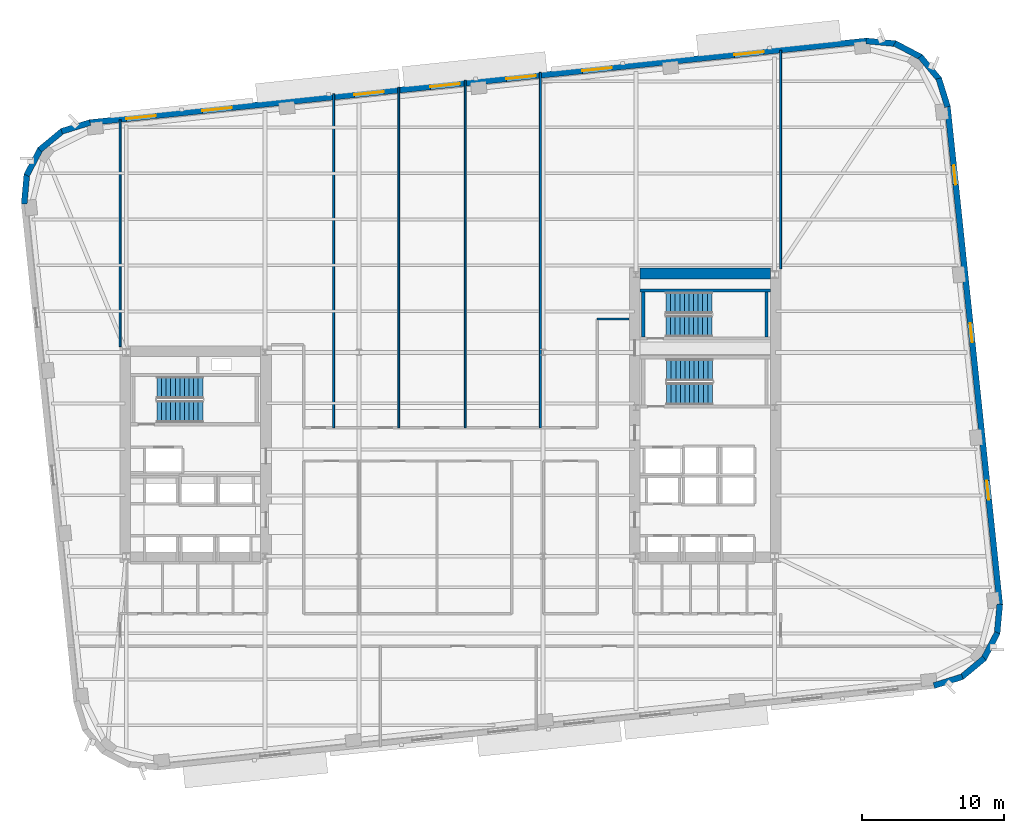
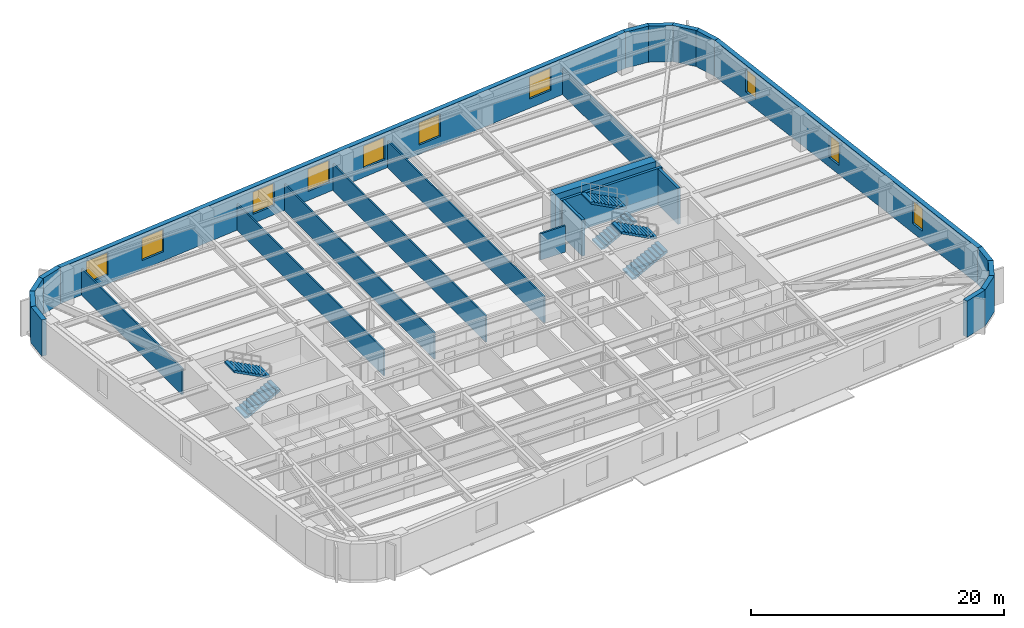
# One storey, part 7 of 15: 25 walls, 10 windows, 6 stair flights, 10 openings, 3 elements without a shape of their own.
"""IFC4 building model written with IfcOpenShell, lengths in metres."""

from ifc_helpers import new_model, si_unit, direction, frame, frame_2d, origin, place, context, subcontext, project, spatial, polyline, rectangle, outline, extrude, material, layer, layer_set, type_object, element, fill, aggregate, save


model = new_model("IFC4")

# Units and contexts
model_context = context("Model", 3, precision=1e-05, world=origin(), true_north=direction((0.0, 1.0)))
body_context = subcontext(model_context, "Body", "Model", "MODEL_VIEW")
ifc_project = project(units=[si_unit("LENGTHUNIT", "METRE"), si_unit("AREAUNIT", "SQUARE_METRE"), si_unit("VOLUMEUNIT", "CUBIC_METRE"), si_unit("PLANEANGLEUNIT", "RADIAN"), si_unit("MASSUNIT", "GRAM", prefix="KILO")], contexts=[model_context])

# Site, building, storey
site_placement = place(None, origin())
site = spatial("IfcSite", under=ifc_project, at=site_placement, CompositionType="ELEMENT")
building_placement = place(site_placement, origin())
building = spatial("IfcBuilding", under=site, at=building_placement, Name="Kolvaren Arena Tower", CompositionType="ELEMENT")
storey_placement = place(building_placement, frame((0.0, 0.0, 118.449951171875)))
storey = spatial("IfcBuildingStorey", under=building, at=storey_placement, Name="L27", CompositionType="ELEMENT", Elevation=118.449951171875)

# Walls
ifc_material_1 = material(Name="Gypsum board acoustic assembly", Category="gypsum")
ifc_layer_1 = layer(ifc_material_1, 0.159912109375)
ifc_layer_set_1 = layer_set([ifc_layer_1], Name="Gypsum board acoustic assembly")
wall_type_1 = type_object("IfcWallType", Name="CORR-160", PredefinedType="PARTITIONING", material=ifc_layer_set_1)
wall_1_placement = place(storey_placement, frame((47.820068359375, 36.199951171875, 0.0), z_axis=(0.0, 0.0, 1.0), x_axis=(1.0, 0.0, 0.0)))
element("IfcWall", 1, at=wall_1_placement, inside=storey, type_object=wall_type_1, Name="Interior Partition Wall (L27)", PredefinedType="PARTITIONING", context=body_context, shape_type="SweptSolid", body=[
    extrude(rectangle(XDim=2.260009765625, YDim=0.159912109375, at=frame_2d((1.1298828125, 0.0))), origin(), (0.0, 0.0, 1.0), 2.5400390625),
])
ifc_material_2 = material(Name="Concrete 70 MPa", Category="concrete")
ifc_layer_2 = layer(ifc_material_2, 0.75)
ifc_layer_set_2 = layer_set([ifc_layer_2], Name="Concrete 70 MPa")
wall_type_2 = type_object("IfcWallType", Name="CWALL-750", PredefinedType="SHEAR", material=ifc_layer_set_2)
wall_2_placement = place(storey_placement, frame((50.85009765625, 39.425048828125, -0.27001953125), z_axis=(0.0, 0.0, 1.0), x_axis=(1.0, 0.0, 0.0)))
element("IfcWall", 2, at=wall_2_placement, inside=storey, type_object=wall_type_2, Name="Core Shear Wall EC-NORTH (L27)", PredefinedType="SHEAR", context=body_context, shape_type="SweptSolid", body=[
    extrude(rectangle(XDim=9.199951171875, YDim=0.75, at=frame_2d((4.60009765625, 0.0))), origin(), (0.0, 0.0, 1.0), 3.75),
])
ifc_material_3 = material(Name="Precast concrete C50/60", Category="concrete")
ifc_layer_3 = layer(ifc_material_3, 0.419921875)
ifc_layer_set_3 = layer_set([ifc_layer_3], Name="Precast concrete C50/60")
wall_type_3 = type_object("IfcWallType", Name="EXT-PIER1", PredefinedType="SOLIDWALL", material=ifc_layer_set_3)
for number, where, z_axis, x_axis, name in (
    (3, (73.61328125, 10.93701171875, 0.0), (0.0, 0.0, 1.0), (-0.954993985335, -0.296625164093, 0.0), "Exterior Precast Masonry-Frame Wall (L27)"),
    (4, (75.1611328125, 12.2451171875, 0.0), (0.0, 0.0, 1.0), (-0.768800317178, -0.639488914921, 0.0), "Exterior Precast Masonry-Frame Wall (L27)"),
):
    element("IfcWall", number, at=place(storey_placement, frame(where, z_axis=z_axis, x_axis=x_axis)), inside=storey, type_object=wall_type_3, Name=name, PredefinedType="SOLIDWALL", context=body_context, shape_type="SweptSolid", body=[
        extrude(rectangle(XDim=2.10693359375, YDim=0.419921875, at=frame_2d((1.053466796875, 0.0))), origin(), (0.0, 0.0, 1.0), 3.47998046875),
    ])
wall_3_placement = place(storey_placement, frame((76.0908203125, 14.046142578125, 0.0), z_axis=(0.0, 0.0, 1.0), x_axis=(-0.465655699908, -0.884965970613, 0.0)))
element("IfcWall", 5, at=wall_3_placement, inside=storey, type_object=wall_type_3, Name="Exterior Precast Masonry-Frame Wall (L27)", PredefinedType="SOLIDWALL", context=body_context, shape_type="SweptSolid", body=[
    extrude(rectangle(XDim=2.107177734375, YDim=0.419921875, at=frame_2d((1.0537109375, 0.0))), origin(), (0.0, 0.0, 1.0), 3.47998046875),
])
wall_4_placement = place(storey_placement, frame((76.26025390625, 16.065673828125, 0.0), z_axis=(0.0, 0.0, 1.0), x_axis=(-0.091538655308, -0.995801523691, 0.0)))
element("IfcWall", 6, at=wall_4_placement, inside=storey, type_object=wall_type_3, Name="Exterior Precast Masonry-Frame Wall (L27)", PredefinedType="SOLIDWALL", context=body_context, shape_type="SweptSolid", body=[
    extrude(rectangle(XDim=2.10693359375, YDim=0.419921875, at=frame_2d((1.053466796875, 0.0))), origin(), (0.0, 0.0, 1.0), 3.47998046875),
])

# Wall, openings, windows
wall_5_placement = place(storey_placement, frame((72.560302734375, 51.23046875, 0.0), z_axis=(0.0, 0.0, 1.0), x_axis=(0.1045253859, -0.994522218808, 0.0)))
wall_5 = element("IfcWall", 7, at=wall_5_placement, inside=storey, type_object=wall_type_3, Name="Exterior Precast Masonry-Frame Wall (L27)", PredefinedType="SOLIDWALL", context=body_context, shape_type="SweptSolid", body=[
    extrude(rectangle(XDim=35.39990234375, YDim=0.419921875, at=frame_2d((17.699951171875, 0.0))), origin(), (0.0, 0.0, 1.0), 3.47998046875),
])
opening_1_placement = place(wall_5_placement, frame((4.199951171875, 0.0, 0.8798828125)))
opening_1 = element("IfcOpeningElement", 8, at=opening_1_placement, cuts=wall_5, Name="Opening W04", PredefinedType="OPENING", context=body_context, shape_type="SweptSolid", body=[
    extrude(rectangle(XDim=1.35009765625, YDim=2.199951171875, at=frame_2d((0.675048828125, 1.10009765625))), frame((0.0, 0.219970703125, 0.0), z_axis=(0.0, -1.0, 0.0), x_axis=(1.0, 0.0, 0.0)), (0.0, 0.0, 1.0), 0.43994140625),
])
opening_2_placement = place(wall_5_placement, frame((15.39990234375, 0.0, 0.8798828125)))
opening_2 = element("IfcOpeningElement", 9, at=opening_2_placement, cuts=wall_5, Name="Opening W04", PredefinedType="OPENING", context=body_context, shape_type="SweptSolid", body=[
    extrude(rectangle(XDim=1.35009765625, YDim=2.199951171875, at=frame_2d((0.675048828125, 1.10009765625))), frame((0.0, 0.219970703125, 0.0), z_axis=(0.0, -1.0, 0.0), x_axis=(1.0, 0.0, 0.0)), (0.0, 0.0, 1.0), 0.43994140625),
])
opening_3_placement = place(wall_5_placement, frame((26.60009765625, 0.0, 0.8798828125)))
opening_3 = element("IfcOpeningElement", 10, at=opening_3_placement, cuts=wall_5, Name="Opening W04", PredefinedType="OPENING", context=body_context, shape_type="SweptSolid", body=[
    extrude(rectangle(XDim=1.35009765625, YDim=2.199951171875, at=frame_2d((0.675048828125, 1.10009765625))), frame((0.0, 0.219970703125, 0.0), z_axis=(0.0, -1.0, 0.0), x_axis=(1.0, 0.0, 0.0)), (0.0, 0.0, 1.0), 0.43994140625),
])
ifc_material_4 = material(Name="Triple-glazed curved-facet corner window", Category="glass")
window_type_1 = type_object("IfcWindowType", Name="WIN-CRN-A", PartitioningType="SINGLE_PANEL", PredefinedType="WINDOW", material=ifc_material_4)
window_1_placement = place(opening_1_placement, origin())
window_1 = element("IfcWindow", 11, at=window_1_placement, inside=storey, type_object=window_type_1, Name="End-Wall Punched Window (L27)", OverallHeight=2.199951171875, OverallWidth=1.35009765625, PartitioningType="SINGLE_PANEL", PredefinedType="WINDOW", context=body_context, shape_type="SweptSolid", body=[
    extrude(rectangle(XDim=1.35009765625, YDim=2.199951171875, at=frame_2d((0.675048828125, 1.10009765625))), frame((0.0, 0.030029296875, 0.0), z_axis=(0.0, -1.0, 0.0), x_axis=(1.0, 0.0, 0.0)), (0.0, 0.0, 1.0), 0.06005859375),
])
fill(opening_1, window_1)
window_2_placement = place(opening_2_placement, origin())
window_2 = element("IfcWindow", 12, at=window_2_placement, inside=storey, type_object=window_type_1, Name="End-Wall Punched Window (L27)", OverallHeight=2.199951171875, OverallWidth=1.35009765625, PartitioningType="SINGLE_PANEL", PredefinedType="WINDOW", context=body_context, shape_type="SweptSolid", body=[
    extrude(rectangle(XDim=1.35009765625, YDim=2.199951171875, at=frame_2d((0.675048828125, 1.10009765625))), frame((0.0, 0.030029296875, 0.0), z_axis=(0.0, -1.0, 0.0), x_axis=(1.0, 0.0, 0.0)), (0.0, 0.0, 1.0), 0.06005859375),
])
fill(opening_2, window_2)
window_3_placement = place(opening_3_placement, origin())
window_3 = element("IfcWindow", 13, at=window_3_placement, inside=storey, type_object=window_type_1, Name="End-Wall Punched Window (L27)", OverallHeight=2.199951171875, OverallWidth=1.35009765625, PartitioningType="SINGLE_PANEL", PredefinedType="WINDOW", context=body_context, shape_type="SweptSolid", body=[
    extrude(rectangle(XDim=1.35009765625, YDim=2.199951171875, at=frame_2d((0.675048828125, 1.10009765625))), frame((0.0, 0.030029296875, 0.0), z_axis=(0.0, -1.0, 0.0), x_axis=(1.0, 0.0, 0.0)), (0.0, 0.0, 1.0), 0.06005859375),
])
fill(opening_3, window_3)

# Walls
for number, where, z_axis, x_axis, name in (
    (14, (71.943603515625, 53.202392578125, 0.0), (0.0, 0.0, 1.0), (0.296625164093, -0.954993985335, 0.0), "Exterior Precast Masonry-Frame Wall (L27)"),
    (15, (70.635498046875, 54.750244140625, 0.0), (0.0, 0.0, 1.0), (0.639488914921, -0.768800317178, 0.0), "Exterior Precast Masonry-Frame Wall (L27)"),
    (16, (68.83447265625, 55.6796875, 0.0), (0.0, 0.0, 1.0), (0.885013714693, -0.465564952296, 0.0), "Exterior Precast Masonry-Frame Wall (L27)"),
    (17, (66.81494140625, 55.849365234375, 0.0), (0.0, 0.0, 1.0), (0.995801523691, -0.091538655308, 0.0), "Exterior Precast Masonry-Frame Wall (L27)"),
):
    element("IfcWall", number, at=place(storey_placement, frame(where, z_axis=z_axis, x_axis=x_axis)), inside=storey, type_object=wall_type_3, Name=name, PredefinedType="SOLIDWALL", context=body_context, shape_type="SweptSolid", body=[
        extrude(rectangle(XDim=2.10693359375, YDim=0.419921875, at=frame_2d((1.053466796875, 0.0))), origin(), (0.0, 0.0, 1.0), 3.47998046875),
    ])

# Wall, openings, windows
wall_6_placement = place(storey_placement, frame((11.95849609375, 50.07958984375, 0.0), z_axis=(0.0, 0.0, 1.0), x_axis=(0.994521823388, 0.104529148113, 0.0)))
wall_6 = element("IfcWall", 18, at=wall_6_placement, inside=storey, type_object=wall_type_3, Name="Exterior Precast Masonry-Frame Wall (L27)", PredefinedType="SOLIDWALL", context=body_context, shape_type="SweptSolid", body=[
    extrude(rectangle(XDim=55.2001953125, YDim=0.419921875, at=frame_2d((27.60009765625, 0.0))), origin(), (0.0, 0.0, 1.0), 3.47998046875),
])
opening_4_placement = place(wall_6_placement, frame((2.60009765625, 0.0, 0.8798828125)))
opening_4 = element("IfcOpeningElement", 19, at=opening_4_placement, cuts=wall_6, Name="Opening W01", PredefinedType="OPENING", context=body_context, shape_type="SweptSolid", body=[
    extrude(rectangle(XDim=2.10009765625, YDim=2.14990234375, at=frame_2d((1.050048828125, 1.074951171875))), frame((0.0, 0.219970703125, 0.0), z_axis=(0.0, -1.0, 0.0), x_axis=(1.0, 0.0, 0.0)), (0.0, 0.0, 1.0), 0.43994140625),
])
opening_5_placement = place(wall_6_placement, frame((8.0, 0.0, 0.8798828125)))
opening_5 = element("IfcOpeningElement", 20, at=opening_5_placement, cuts=wall_6, Name="Opening W01", PredefinedType="OPENING", context=body_context, shape_type="SweptSolid", body=[
    extrude(rectangle(XDim=2.10009765625, YDim=2.14990234375, at=frame_2d((1.050048828125, 1.074951171875))), frame((0.0, 0.219970703125, 0.0), z_axis=(0.0, -1.0, 0.0), x_axis=(1.0, 0.0, 0.0)), (0.0, 0.0, 1.0), 0.43994140625),
])
opening_6_placement = place(wall_6_placement, frame((18.800048828125, 0.0, 0.8798828125)))
opening_6 = element("IfcOpeningElement", 21, at=opening_6_placement, cuts=wall_6, Name="Opening W01", PredefinedType="OPENING", context=body_context, shape_type="SweptSolid", body=[
    extrude(rectangle(XDim=2.10009765625, YDim=2.14990234375, at=frame_2d((1.050048828125, 1.074951171875))), frame((0.0, 0.219970703125, 0.0), z_axis=(0.0, -1.0, 0.0), x_axis=(1.0, 0.0, 0.0)), (0.0, 0.0, 1.0), 0.43994140625),
])
opening_7_placement = place(wall_6_placement, frame((24.199951171875, 0.0, 0.8798828125)))
opening_7 = element("IfcOpeningElement", 22, at=opening_7_placement, cuts=wall_6, Name="Opening W01", PredefinedType="OPENING", context=body_context, shape_type="SweptSolid", body=[
    extrude(rectangle(XDim=2.10009765625, YDim=2.14990234375, at=frame_2d((1.050048828125, 1.074951171875))), frame((0.0, 0.219970703125, 0.0), z_axis=(0.0, -1.0, 0.0), x_axis=(1.0, 0.0, 0.0)), (0.0, 0.0, 1.0), 0.43994140625),
])
opening_8_placement = place(wall_6_placement, frame((29.60009765625, 0.0, 0.8798828125)))
opening_8 = element("IfcOpeningElement", 23, at=opening_8_placement, cuts=wall_6, Name="Opening W01", PredefinedType="OPENING", context=body_context, shape_type="SweptSolid", body=[
    extrude(rectangle(XDim=2.10009765625, YDim=2.14990234375, at=frame_2d((1.050048828125, 1.074951171875))), frame((0.0, 0.219970703125, 0.0), z_axis=(0.0, -1.0, 0.0), x_axis=(1.0, 0.0, 0.0)), (0.0, 0.0, 1.0), 0.43994140625),
])
opening_9_placement = place(wall_6_placement, frame((35.0, 0.0, 0.8798828125)))
opening_9 = element("IfcOpeningElement", 24, at=opening_9_placement, cuts=wall_6, Name="Opening W01", PredefinedType="OPENING", context=body_context, shape_type="SweptSolid", body=[
    extrude(rectangle(XDim=2.10009765625, YDim=2.14990234375, at=frame_2d((1.050048828125, 1.074951171875))), frame((0.0, 0.219970703125, 0.0), z_axis=(0.0, -1.0, 0.0), x_axis=(1.0, 0.0, 0.0)), (0.0, 0.0, 1.0), 0.43994140625),
])
opening_10_placement = place(wall_6_placement, frame((45.800048828125, 0.0, 0.8798828125)))
opening_10 = element("IfcOpeningElement", 25, at=opening_10_placement, cuts=wall_6, Name="Opening W01", PredefinedType="OPENING", context=body_context, shape_type="SweptSolid", body=[
    extrude(rectangle(XDim=2.10009765625, YDim=2.14990234375, at=frame_2d((1.050048828125, 1.074951171875))), frame((0.0, 0.219970703125, 0.0), z_axis=(0.0, -1.0, 0.0), x_axis=(1.0, 0.0, 0.0)), (0.0, 0.0, 1.0), 0.43994140625),
])
ifc_material_5 = material(Name="Triple-glazed low-E aluminium window", Category="aluminium")
window_type_2 = type_object("IfcWindowType", Name="WIN-OFF-A", PartitioningType="DOUBLE_PANEL_VERTICAL", PredefinedType="WINDOW", material=ifc_material_5)
window_4_placement = place(opening_4_placement, origin())
window_4 = element("IfcWindow", 26, at=window_4_placement, inside=storey, type_object=window_type_2, Name="Punched Precast-Pier Window (L27)", OverallHeight=2.14990234375, OverallWidth=2.10009765625, PartitioningType="DOUBLE_PANEL_VERTICAL", PredefinedType="WINDOW", context=body_context, shape_type="SweptSolid", body=[
    extrude(rectangle(XDim=2.10009765625, YDim=2.14990234375, at=frame_2d((1.050048828125, 1.074951171875))), frame((0.0, 0.030029296875, 0.0), z_axis=(0.0, -1.0, 0.0), x_axis=(1.0, 0.0, 0.0)), (0.0, 0.0, 1.0), 0.06005859375),
])
fill(opening_4, window_4)
window_5_placement = place(opening_5_placement, origin())
window_5 = element("IfcWindow", 27, at=window_5_placement, inside=storey, type_object=window_type_2, Name="Punched Precast-Pier Window (L27)", OverallHeight=2.14990234375, OverallWidth=2.10009765625, PartitioningType="DOUBLE_PANEL_VERTICAL", PredefinedType="WINDOW", context=body_context, shape_type="SweptSolid", body=[
    extrude(rectangle(XDim=2.10009765625, YDim=2.14990234375, at=frame_2d((1.050048828125, 1.074951171875))), frame((0.0, 0.030029296875, 0.0), z_axis=(0.0, -1.0, 0.0), x_axis=(1.0, 0.0, 0.0)), (0.0, 0.0, 1.0), 0.06005859375),
])
fill(opening_5, window_5)
window_6_placement = place(opening_6_placement, origin())
window_6 = element("IfcWindow", 28, at=window_6_placement, inside=storey, type_object=window_type_2, Name="Punched Precast-Pier Window (L27)", OverallHeight=2.14990234375, OverallWidth=2.10009765625, PartitioningType="DOUBLE_PANEL_VERTICAL", PredefinedType="WINDOW", context=body_context, shape_type="SweptSolid", body=[
    extrude(rectangle(XDim=2.10009765625, YDim=2.14990234375, at=frame_2d((1.050048828125, 1.074951171875))), frame((0.0, 0.030029296875, 0.0), z_axis=(0.0, -1.0, 0.0), x_axis=(1.0, 0.0, 0.0)), (0.0, 0.0, 1.0), 0.06005859375),
])
fill(opening_6, window_6)
window_7_placement = place(opening_7_placement, origin())
window_7 = element("IfcWindow", 29, at=window_7_placement, inside=storey, type_object=window_type_2, Name="Punched Precast-Pier Window (L27)", OverallHeight=2.14990234375, OverallWidth=2.10009765625, PartitioningType="DOUBLE_PANEL_VERTICAL", PredefinedType="WINDOW", context=body_context, shape_type="SweptSolid", body=[
    extrude(rectangle(XDim=2.10009765625, YDim=2.14990234375, at=frame_2d((1.050048828125, 1.074951171875))), frame((0.0, 0.030029296875, 0.0), z_axis=(0.0, -1.0, 0.0), x_axis=(1.0, 0.0, 0.0)), (0.0, 0.0, 1.0), 0.06005859375),
])
fill(opening_7, window_7)
window_8_placement = place(opening_8_placement, origin())
window_8 = element("IfcWindow", 30, at=window_8_placement, inside=storey, type_object=window_type_2, Name="Punched Precast-Pier Window (L27)", OverallHeight=2.14990234375, OverallWidth=2.10009765625, PartitioningType="DOUBLE_PANEL_VERTICAL", PredefinedType="WINDOW", context=body_context, shape_type="SweptSolid", body=[
    extrude(rectangle(XDim=2.10009765625, YDim=2.14990234375, at=frame_2d((1.050048828125, 1.074951171875))), frame((0.0, 0.030029296875, 0.0), z_axis=(0.0, -1.0, 0.0), x_axis=(1.0, 0.0, 0.0)), (0.0, 0.0, 1.0), 0.06005859375),
])
fill(opening_8, window_8)
window_9_placement = place(opening_9_placement, origin())
window_9 = element("IfcWindow", 31, at=window_9_placement, inside=storey, type_object=window_type_2, Name="Punched Precast-Pier Window (L27)", OverallHeight=2.14990234375, OverallWidth=2.10009765625, PartitioningType="DOUBLE_PANEL_VERTICAL", PredefinedType="WINDOW", context=body_context, shape_type="SweptSolid", body=[
    extrude(rectangle(XDim=2.10009765625, YDim=2.14990234375, at=frame_2d((1.050048828125, 1.074951171875))), frame((0.0, 0.030029296875, 0.0), z_axis=(0.0, -1.0, 0.0), x_axis=(1.0, 0.0, 0.0)), (0.0, 0.0, 1.0), 0.06005859375),
])
fill(opening_9, window_9)
window_10_placement = place(opening_10_placement, origin())
window_10 = element("IfcWindow", 32, at=window_10_placement, inside=storey, type_object=window_type_2, Name="Punched Precast-Pier Window (L27)", OverallHeight=2.14990234375, OverallWidth=2.10009765625, PartitioningType="DOUBLE_PANEL_VERTICAL", PredefinedType="WINDOW", context=body_context, shape_type="SweptSolid", body=[
    extrude(rectangle(XDim=2.10009765625, YDim=2.14990234375, at=frame_2d((1.050048828125, 1.074951171875))), frame((0.0, 0.030029296875, 0.0), z_axis=(0.0, -1.0, 0.0), x_axis=(1.0, 0.0, 0.0)), (0.0, 0.0, 1.0), 0.06005859375),
])
fill(opening_10, window_10)

# Walls
wall_7_placement = place(storey_placement, frame((9.98681640625, 49.463134765625, 0.0), z_axis=(0.0, 0.0, 1.0), x_axis=(0.955016613791, 0.296552301261, 0.0)))
element("IfcWall", 33, at=wall_7_placement, inside=storey, type_object=wall_type_3, Name="Exterior Precast Masonry-Frame Wall (L27)", PredefinedType="SOLIDWALL", context=body_context, shape_type="SweptSolid", body=[
    extrude(rectangle(XDim=2.106689453125, YDim=0.419921875, at=frame_2d((1.05322265625, 0.0))), origin(), (0.0, 0.0, 1.0), 3.47998046875),
])
wall_8_placement = place(storey_placement, frame((8.438720703125, 48.15478515625, 0.0), z_axis=(0.0, 0.0, 1.0), x_axis=(0.768800317178, 0.639488914921, 0.0)))
element("IfcWall", 34, at=wall_8_placement, inside=storey, type_object=wall_type_3, Name="Exterior Precast Masonry-Frame Wall (L27)", PredefinedType="SOLIDWALL", context=body_context, shape_type="SweptSolid", body=[
    extrude(rectangle(XDim=2.10693359375, YDim=0.419921875, at=frame_2d((1.053466796875, 0.0))), origin(), (0.0, 0.0, 1.0), 3.47998046875),
])
wall_9_placement = place(storey_placement, frame((7.50927734375, 46.35400390625, 0.0), z_axis=(0.0, 0.0, 1.0), x_axis=(0.465612698516, 0.884988595961, 0.0)))
element("IfcWall", 35, at=wall_9_placement, inside=storey, type_object=wall_type_3, Name="Exterior Precast Masonry-Frame Wall (L27)", PredefinedType="SOLIDWALL", context=body_context, shape_type="SweptSolid", body=[
    extrude(rectangle(XDim=2.106689453125, YDim=0.419921875, at=frame_2d((1.05322265625, 0.0))), origin(), (0.0, 0.0, 1.0), 3.47998046875),
])
wall_10_placement = place(storey_placement, frame((7.339599609375, 44.33447265625, 0.0), z_axis=(0.0, 0.0, 1.0), x_axis=(0.091538655308, 0.995801523691, 0.0)))
element("IfcWall", 36, at=wall_10_placement, inside=storey, type_object=wall_type_3, Name="Exterior Precast Masonry-Frame Wall (L27)", PredefinedType="SOLIDWALL", context=body_context, shape_type="SweptSolid", body=[
    extrude(rectangle(XDim=2.10693359375, YDim=0.419921875, at=frame_2d((1.053466796875, 0.0))), origin(), (0.0, 0.0, 1.0), 3.47998046875),
])
ifc_material_6 = material(Name="Gypsum board partition assembly", Category="gypsum")
ifc_layer_4 = layer(ifc_material_6, 0.135009765625)
ifc_layer_set_4 = layer_set([ifc_layer_4], Name="Gypsum board partition assembly")
wall_type_4 = type_object("IfcWallType", Name="PART-135", PredefinedType="PARTITIONING", material=ifc_layer_set_4)
wall_11_placement = place(storey_placement, frame((29.199951171875, 28.52001953125, 0.0), z_axis=(0.0, 0.0, 1.0), x_axis=(0.0, 1.0, 0.0)))
element("IfcWall", 37, at=wall_11_placement, inside=storey, type_object=wall_type_4, Name="Interior Partition Wall (L27)", PredefinedType="PARTITIONING", context=body_context, shape_type="SweptSolid", body=[
    extrude(rectangle(XDim=23.582763671875, YDim=0.135009765625, at=frame_2d((11.79150390625, 0.0))), origin(), (0.0, 0.0, 1.0), 2.5400390625),
])
wall_12_placement = place(storey_placement, frame((33.800048828125, 28.52001953125, 0.0), z_axis=(0.0, 0.0, 1.0), x_axis=(0.0, 1.0, 0.0)))
element("IfcWall", 38, at=wall_12_placement, inside=storey, type_object=wall_type_4, Name="Interior Partition Wall (L27)", PredefinedType="PARTITIONING", context=body_context, shape_type="SweptSolid", body=[
    extrude(rectangle(XDim=24.06640625, YDim=0.135009765625, at=frame_2d((12.033203125, 0.0))), origin(), (0.0, 0.0, 1.0), 2.5400390625),
])
wall_13_placement = place(storey_placement, frame((38.5, 28.52001953125, 0.0), z_axis=(0.0, 0.0, 1.0), x_axis=(0.0, 1.0, 0.0)))
element("IfcWall", 39, at=wall_13_placement, inside=storey, type_object=wall_type_4, Name="Interior Partition Wall (L27)", PredefinedType="PARTITIONING", context=body_context, shape_type="SweptSolid", body=[
    extrude(rectangle(XDim=24.560302734375, YDim=0.135009765625, at=frame_2d((12.2802734375, 0.0))), origin(), (0.0, 0.0, 1.0), 2.5400390625),
])
wall_14_placement = place(storey_placement, frame((43.800048828125, 28.52001953125, 0.0), z_axis=(0.0, 0.0, 1.0), x_axis=(0.0, 1.0, 0.0)))
element("IfcWall", 40, at=wall_14_placement, inside=storey, type_object=wall_type_4, Name="Interior Partition Wall (L27)", PredefinedType="PARTITIONING", context=body_context, shape_type="SweptSolid", body=[
    extrude(rectangle(XDim=25.117431640625, YDim=0.135009765625, at=frame_2d((12.55859375, 0.0))), origin(), (0.0, 0.0, 1.0), 2.5400390625),
])
wall_15_placement = place(storey_placement, frame((14.1201171875, 34.25, 0.0), z_axis=(0.0, 0.0, 1.0), x_axis=(0.0, 1.0, 0.0)))
element("IfcWall", 41, at=wall_15_placement, inside=storey, type_object=wall_type_4, Name="Interior Partition Wall (L27)", PredefinedType="PARTITIONING", context=body_context, shape_type="SweptSolid", body=[
    extrude(rectangle(XDim=16.026611328125, YDim=0.135009765625, at=frame_2d((8.01318359375, 0.0))), origin(), (0.0, 0.0, 1.0), 2.5400390625),
])
wall_16_placement = place(storey_placement, frame((60.780029296875, 39.75, 0.0), z_axis=(0.0, 0.0, 1.0), x_axis=(0.0, 1.0, 0.0)))
element("IfcWall", 42, at=wall_16_placement, inside=storey, type_object=wall_type_4, Name="Interior Partition Wall (L27)", PredefinedType="PARTITIONING", context=body_context, shape_type="SweptSolid", body=[
    extrude(rectangle(XDim=15.430908203125, YDim=0.135009765625, at=frame_2d((7.71533203125, 0.0))), origin(), (0.0, 0.0, 1.0), 2.5400390625),
])
ifc_material_7 = material(Name="Concrete 45 MPa", Category="concrete")
ifc_layer_5 = layer(ifc_material_7, 0.25)
ifc_layer_set_5 = layer_set([ifc_layer_5], Name="Concrete 45 MPa")
wall_type_5 = type_object("IfcWallType", Name="SHAFT-250", PredefinedType="SOLIDWALL", material=ifc_layer_set_5)
wall_17_placement = place(storey_placement, frame((50.85009765625, 38.219970703125, 0.0), z_axis=(0.0, 0.0, 1.0), x_axis=(1.0, 0.0, 0.0)))
element("IfcWall", 43, at=wall_17_placement, inside=storey, type_object=wall_type_5, Name="Core Shaft Wall (L27)", PredefinedType="SOLIDWALL", context=body_context, shape_type="SweptSolid", body=[
    extrude(rectangle(XDim=9.199951171875, YDim=0.239990234375, at=frame_2d((4.60009765625, 0.0))), origin(), (0.0, 0.0, 1.0), 3.47998046875),
])
for number, where, z_axis, x_axis, name in (
    (44, (51.06005859375, 34.949951171875, 0.0), (0.0, 0.0, 1.0), (0.0, 1.0, 0.0), "Core Shaft Wall (L27)"),
    (45, (59.780029296875, 34.949951171875, 0.0), (0.0, 0.0, 1.0), (0.0, 1.0, 0.0), "Core Shaft Wall (L27)"),
):
    element("IfcWall", number, at=place(storey_placement, frame(where, z_axis=z_axis, x_axis=x_axis)), inside=storey, type_object=wall_type_5, Name=name, PredefinedType="SOLIDWALL", context=body_context, shape_type="SweptSolid", body=[
        extrude(rectangle(XDim=3.150146484375, YDim=0.239990234375, at=frame_2d((1.5751953125, 0.0))), origin(), (0.0, 0.0, 1.0), 3.47998046875),
    ])

# Stair, stair flights
stair_type_1 = type_object("IfcStairType", Name="STAIR-CORE-150", PredefinedType="HALF_TURN_STAIR", material=ifc_material_7)
stair_1_placement = place(storey_placement, origin())
stair_1 = element("IfcStair", 46, at=stair_1_placement, inside=storey, type_object=stair_type_1, Name="L27 ST-E2", PredefinedType="HALF_TURN_STAIR")
stair_flight_type_1 = type_object("IfcStairFlightType", Name="FLT-150", PredefinedType="STRAIGHT", material=ifc_material_7)
stair_flight_1_placement = place(storey_placement, frame((52.679931640625, 35.699951171875, 0.0), z_axis=(0.0, 0.0, 1.0), x_axis=(1.0, 0.0, 0.0)))
stair_flight_1 = element("IfcStairFlight", 47, at=stair_flight_1_placement, type_object=stair_flight_type_1, Name="ST-E2 flight 1", NumberOfRisers=11, NumberOfTreads=10, PredefinedType="STRAIGHT", RiserHeight=0.170454545, TreadLength=0.324, context=body_context, shape_type="SweptSolid", body=[
    extrude(outline(polyline([(0.0, 0.0), (0.0, 0.17041015625), (0.323974609375, 0.17041015625), (0.323974609375, 0.3408203125), (0.64794921875, 0.3408203125), (0.64794921875, 0.511474609375), (0.971923828125, 0.511474609375), (0.971923828125, 0.681884765625), (1.2958984375, 0.681884765625), (1.2958984375, 0.852294921875), (1.6201171875, 0.852294921875), (1.6201171875, 1.022705078125), (1.944091796875, 1.022705078125), (1.944091796875, 1.193115234375), (2.26806640625, 1.193115234375), (2.26806640625, 1.363525390625), (2.592041015625, 1.363525390625), (2.592041015625, 1.5341796875), (2.916015625, 1.5341796875), (2.916015625, 1.70458984375), (3.239990234375, 1.70458984375), (3.239990234375, 1.875), (3.239990234375, 1.53515625), (0.322021484375, 0.0), (0.0, 0.0)])), frame((0.0, 0.75, 0.0), z_axis=(0.0, -1.0, 0.0), x_axis=(1.0, 0.0, 0.0)), (0.0, 0.0, 1.0), 1.5),
])
stair_flight_2_placement = place(storey_placement, frame((55.919921875, 37.35009765625, 1.875), z_axis=(0.0, 0.0, 1.0), x_axis=(-1.0, 0.0, 0.0)))
stair_flight_2 = element("IfcStairFlight", 48, at=stair_flight_2_placement, type_object=stair_flight_type_1, Name="ST-E2 flight 2", NumberOfRisers=11, NumberOfTreads=10, PredefinedType="STRAIGHT", RiserHeight=0.170454545, TreadLength=0.324, context=body_context, shape_type="SweptSolid", body=[
    extrude(outline(polyline([(0.0, 0.0), (0.0, 0.17041015625), (0.323974609375, 0.17041015625), (0.323974609375, 0.3408203125), (0.64794921875, 0.3408203125), (0.64794921875, 0.511474609375), (0.971923828125, 0.511474609375), (0.971923828125, 0.681884765625), (1.2958984375, 0.681884765625), (1.2958984375, 0.852294921875), (1.6201171875, 0.852294921875), (1.6201171875, 1.022705078125), (1.944091796875, 1.022705078125), (1.944091796875, 1.193115234375), (2.26806640625, 1.193115234375), (2.26806640625, 1.363525390625), (2.592041015625, 1.363525390625), (2.592041015625, 1.5341796875), (2.916015625, 1.5341796875), (2.916015625, 1.70458984375), (3.239990234375, 1.70458984375), (3.239990234375, 1.875), (3.239990234375, 1.53515625), (0.322021484375, 0.0), (0.0, 0.0)])), frame((0.0, 0.75, 0.0), z_axis=(0.0, -1.0, 0.0), x_axis=(1.0, 0.0, 0.0)), (0.0, 0.0, 1.0), 1.5),
])
aggregate(stair_1, [stair_flight_1, stair_flight_2])

stair_type_2 = type_object("IfcStairType", Name="STAIR-CORE-165", PredefinedType="HALF_TURN_STAIR", material=ifc_material_7)
stair_2_placement = place(storey_placement, origin())
stair_2 = element("IfcStair", 49, at=stair_2_placement, inside=storey, type_object=stair_type_2, Name="L27 ST-W1", PredefinedType="HALF_TURN_STAIR")
stair_flight_type_2 = type_object("IfcStairFlightType", Name="FLT-165", PredefinedType="STRAIGHT", material=ifc_material_7)
stair_flight_3_placement = place(storey_placement, frame((16.719970703125, 29.669921875, 0.0), z_axis=(0.0, 0.0, 1.0), x_axis=(1.0, 0.0, 0.0)))
stair_flight_3 = element("IfcStairFlight", 50, at=stair_flight_3_placement, type_object=stair_flight_type_2, Name="ST-W1 flight 1", NumberOfRisers=11, NumberOfTreads=10, PredefinedType="STRAIGHT", RiserHeight=0.170454545, TreadLength=0.324, context=body_context, shape_type="SweptSolid", body=[
    extrude(outline(polyline([(0.0, 0.0), (0.0, 0.17041015625), (0.323974609375, 0.17041015625), (0.323974609375, 0.3408203125), (0.64794921875, 0.3408203125), (0.64794921875, 0.511474609375), (0.971923828125, 0.511474609375), (0.971923828125, 0.681884765625), (1.2958984375, 0.681884765625), (1.2958984375, 0.852294921875), (1.6201171875, 0.852294921875), (1.6201171875, 1.022705078125), (1.944091796875, 1.022705078125), (1.944091796875, 1.193115234375), (2.26806640625, 1.193115234375), (2.26806640625, 1.363525390625), (2.592041015625, 1.363525390625), (2.592041015625, 1.5341796875), (2.916015625, 1.5341796875), (2.916015625, 1.70458984375), (3.239990234375, 1.70458984375), (3.239990234375, 1.875), (3.239990234375, 1.53515625), (0.322021484375, 0.0), (0.0, 0.0)])), frame((0.0, 0.77001953125, 0.0), z_axis=(0.0, -1.0, 0.0), x_axis=(1.0, 0.0, 0.0)), (0.0, 0.0, 1.0), 1.5400390625),
])
stair_flight_4_placement = place(storey_placement, frame((19.9599609375, 31.360107421875, 1.875), z_axis=(0.0, 0.0, 1.0), x_axis=(-1.0, 0.0, 0.0)))
stair_flight_4 = element("IfcStairFlight", 51, at=stair_flight_4_placement, type_object=stair_flight_type_2, Name="ST-W1 flight 2", NumberOfRisers=11, NumberOfTreads=10, PredefinedType="STRAIGHT", RiserHeight=0.170454545, TreadLength=0.324, context=body_context, shape_type="SweptSolid", body=[
    extrude(outline(polyline([(0.0, 0.0), (0.0, 0.17041015625), (0.323974609375, 0.17041015625), (0.323974609375, 0.3408203125), (0.64794921875, 0.3408203125), (0.64794921875, 0.511474609375), (0.971923828125, 0.511474609375), (0.971923828125, 0.681884765625), (1.2958984375, 0.681884765625), (1.2958984375, 0.852294921875), (1.6201171875, 0.852294921875), (1.6201171875, 1.022705078125), (1.944091796875, 1.022705078125), (1.944091796875, 1.193115234375), (2.26806640625, 1.193115234375), (2.26806640625, 1.363525390625), (2.592041015625, 1.363525390625), (2.592041015625, 1.5341796875), (2.916015625, 1.5341796875), (2.916015625, 1.70458984375), (3.239990234375, 1.70458984375), (3.239990234375, 1.875), (3.239990234375, 1.53515625), (0.322021484375, 0.0), (0.0, 0.0)])), frame((0.0, 0.77001953125, 0.0), z_axis=(0.0, -1.0, 0.0), x_axis=(1.0, 0.0, 0.0)), (0.0, 0.0, 1.0), 1.5400390625),
])
aggregate(stair_2, [stair_flight_3, stair_flight_4])

stair_3_placement = place(storey_placement, origin())
stair_3 = element("IfcStair", 52, at=stair_3_placement, inside=storey, type_object=stair_type_2, Name="L27 ST-E1", PredefinedType="HALF_TURN_STAIR")
stair_flight_5_placement = place(storey_placement, frame((52.719970703125, 30.919921875, 0.0), z_axis=(0.0, 0.0, 1.0), x_axis=(1.0, 0.0, 0.0)))
stair_flight_5 = element("IfcStairFlight", 53, at=stair_flight_5_placement, type_object=stair_flight_type_2, Name="ST-E1 flight 1", NumberOfRisers=11, NumberOfTreads=10, PredefinedType="STRAIGHT", RiserHeight=0.170454545, TreadLength=0.324, context=body_context, shape_type="SweptSolid", body=[
    extrude(outline(polyline([(0.0, 0.0), (0.0, 0.17041015625), (0.323974609375, 0.17041015625), (0.323974609375, 0.3408203125), (0.64794921875, 0.3408203125), (0.64794921875, 0.511474609375), (0.971923828125, 0.511474609375), (0.971923828125, 0.681884765625), (1.2958984375, 0.681884765625), (1.2958984375, 0.852294921875), (1.6201171875, 0.852294921875), (1.6201171875, 1.022705078125), (1.944091796875, 1.022705078125), (1.944091796875, 1.193115234375), (2.26806640625, 1.193115234375), (2.26806640625, 1.363525390625), (2.592041015625, 1.363525390625), (2.592041015625, 1.5341796875), (2.916015625, 1.5341796875), (2.916015625, 1.70458984375), (3.239990234375, 1.70458984375), (3.239990234375, 1.875), (3.239990234375, 1.53515625), (0.322021484375, 0.0), (0.0, 0.0)])), frame((0.0, 0.77001953125, 0.0), z_axis=(0.0, -1.0, 0.0), x_axis=(1.0, 0.0, 0.0)), (0.0, 0.0, 1.0), 1.5400390625),
])
stair_flight_6_placement = place(storey_placement, frame((55.9599609375, 32.610107421875, 1.875), z_axis=(0.0, 0.0, 1.0), x_axis=(-1.0, 0.0, 0.0)))
stair_flight_6 = element("IfcStairFlight", 54, at=stair_flight_6_placement, type_object=stair_flight_type_2, Name="ST-E1 flight 2", NumberOfRisers=11, NumberOfTreads=10, PredefinedType="STRAIGHT", RiserHeight=0.170454545, TreadLength=0.324, context=body_context, shape_type="SweptSolid", body=[
    extrude(outline(polyline([(0.0, 0.0), (0.0, 0.17041015625), (0.323974609375, 0.17041015625), (0.323974609375, 0.3408203125), (0.64794921875, 0.3408203125), (0.64794921875, 0.511474609375), (0.971923828125, 0.511474609375), (0.971923828125, 0.681884765625), (1.2958984375, 0.681884765625), (1.2958984375, 0.852294921875), (1.6201171875, 0.852294921875), (1.6201171875, 1.022705078125), (1.944091796875, 1.022705078125), (1.944091796875, 1.193115234375), (2.26806640625, 1.193115234375), (2.26806640625, 1.363525390625), (2.592041015625, 1.363525390625), (2.592041015625, 1.5341796875), (2.916015625, 1.5341796875), (2.916015625, 1.70458984375), (3.239990234375, 1.70458984375), (3.239990234375, 1.875), (3.239990234375, 1.53515625), (0.322021484375, 0.0), (0.0, 0.0)])), frame((0.0, 0.77001953125, 0.0), z_axis=(0.0, -1.0, 0.0), x_axis=(1.0, 0.0, 0.0)), (0.0, 0.0, 1.0), 1.5400390625),
])
aggregate(stair_3, [stair_flight_5, stair_flight_6])

save(model, "model.ifc")
